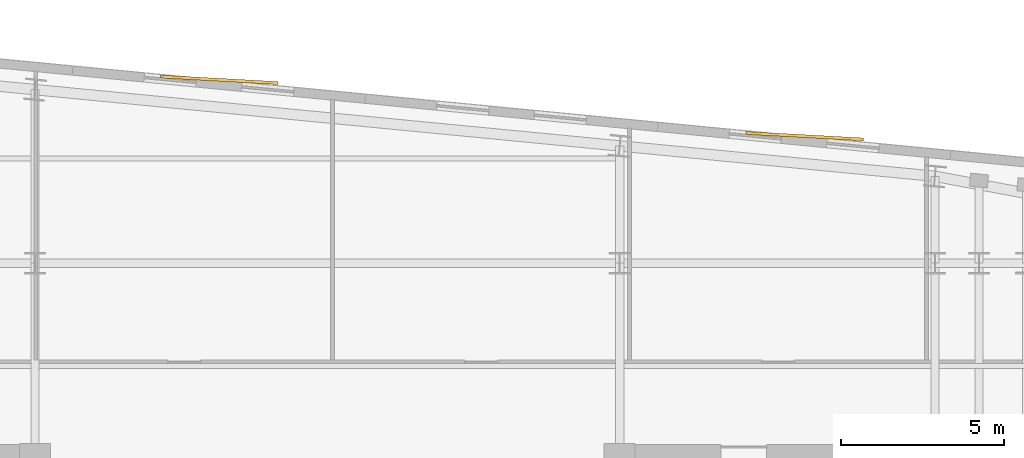
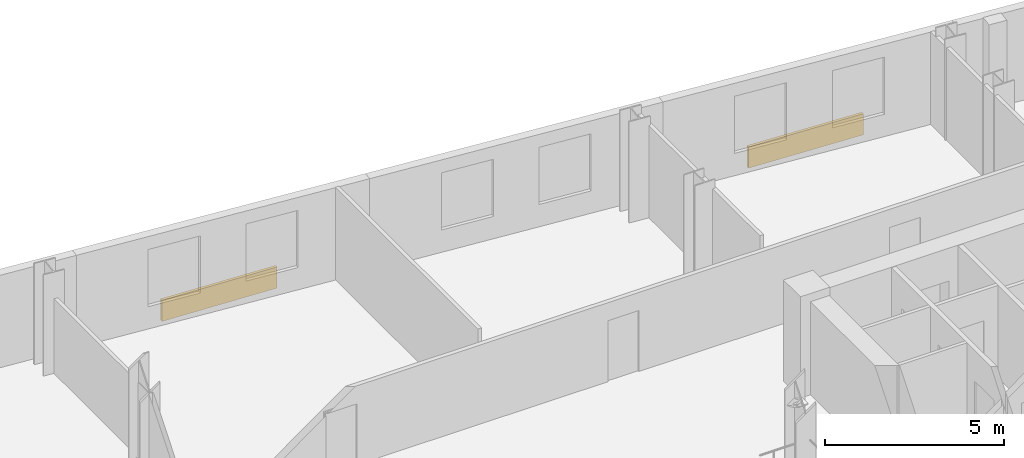
# One storey, part 9 of 9: 2 coverings.
"""IFC4 building model written with IfcOpenShell, lengths in metres."""

from ifc_helpers import new_model, si_unit, direction, frame, origin, origin_2d, place, context, subcontext, project, spatial, rectangle, extrude, material, layer, layer_set, type_object, element, save


model = new_model("IFC4")

# Units and contexts
model_context = context("Model", 3, precision=1e-05, world=origin(), true_north=direction((0.0, 1.0)))
body_context = subcontext(model_context, "Body", "Model", "MODEL_VIEW")
ifc_project = project(units=[si_unit("LENGTHUNIT", "METRE"), si_unit("AREAUNIT", "SQUARE_METRE"), si_unit("VOLUMEUNIT", "CUBIC_METRE"), si_unit("PLANEANGLEUNIT", "RADIAN"), si_unit("MASSUNIT", "GRAM", prefix="KILO")], contexts=[model_context])

# Site, building, storey
site_placement = place(None, origin())
site = spatial("IfcSite", under=ifc_project, at=site_placement, CompositionType="ELEMENT")
building_placement = place(site_placement, origin())
building = spatial("IfcBuilding", under=site, at=building_placement, Name="Velakula Bourse", CompositionType="ELEMENT")
storey_placement = place(building_placement, frame((0.0, 0.0, 191.449951171875)))
storey = spatial("IfcBuildingStorey", under=building, at=storey_placement, Name="L52", CompositionType="ELEMENT", Elevation=191.449951171875)

# Coverings
ifc_material = material(Name="Buff kilned clay facing brick masonry", Category="masonry")
ifc_layer = layer(ifc_material, 0.074951171875, Name="Buff kilned clay facing brick masonry", Category="masonry")
ifc_layer_set = layer_set([ifc_layer], Name="Buff kilned clay facing brick masonry")
covering_type = type_object("IfcCoveringType", Name="COV-BRK-SPN-75", PredefinedType="CLADDING", material=ifc_layer_set)
for number, where, z_axis, x_axis, name in (
    (1, (-3.304931640625, 20.213623046875, 0.0), (0.0, 0.0, 1.0), (0.998489097451, -0.054950179912, 0.0), "L52 Folded Brick Facade Cladding Panel N-B2"),
    (2, (14.6123046875, 18.48828125, 0.0), (0.0, 0.0, 1.0), (0.998489097451, -0.054950179912, 0.0), "L52 Folded Brick Facade Cladding Panel N-B4"),
):
    element("IfcCovering", number, at=place(storey_placement, frame(where, z_axis=z_axis, x_axis=x_axis)), inside=storey, type_object=covering_type, Name=name, PredefinedType="CLADDING", context=body_context, shape_type="SweptSolid", body=[
        extrude(rectangle(XDim=3.60009765625, YDim=0.090087890625, at=origin_2d()), origin(), (0.0, 0.0, 1.0), 0.719970703125),
    ])

save(model, "model.ifc")
